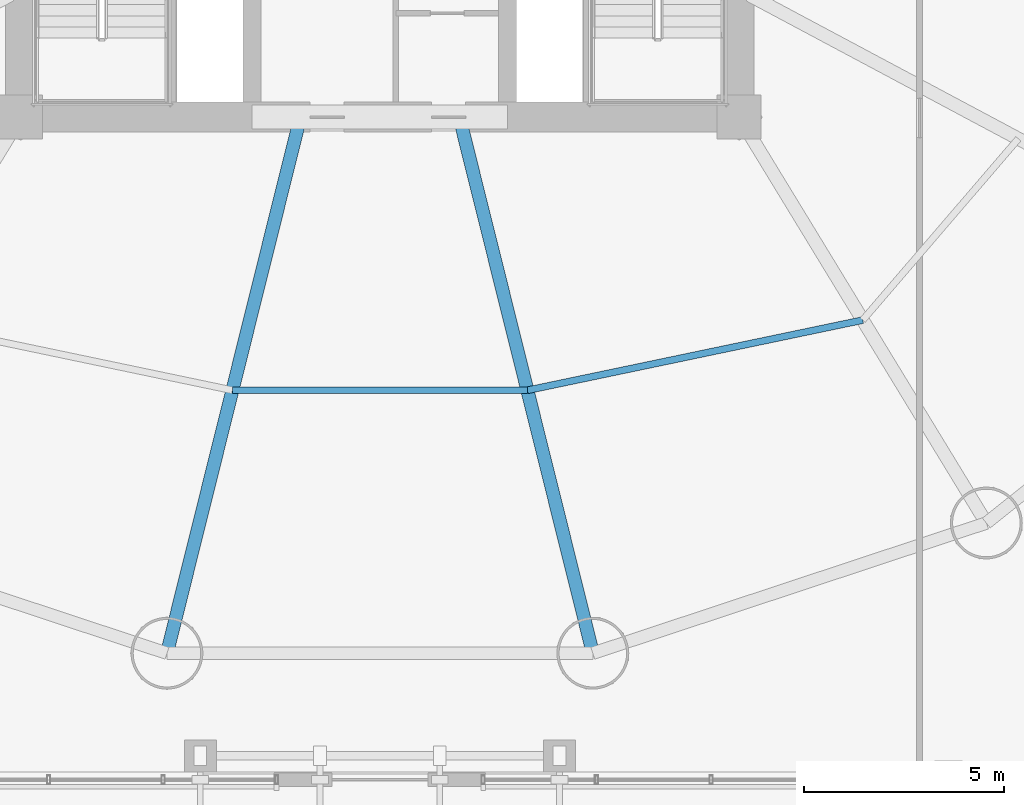
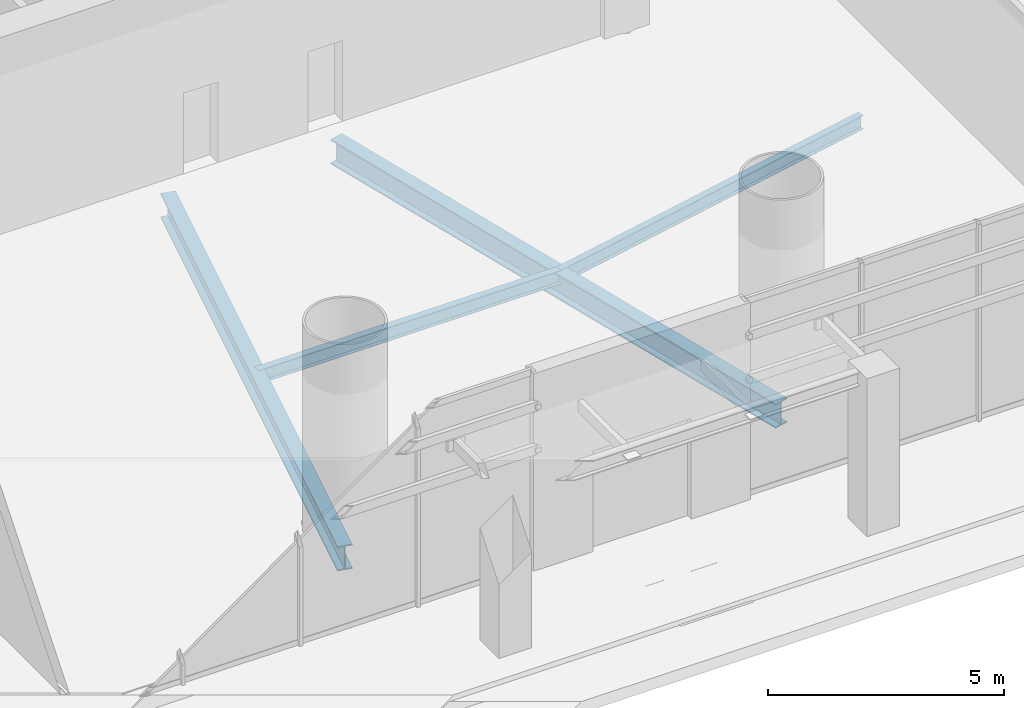
# One storey, part 5 of 25: 4 beams.
"""IFC4 building model written with IfcOpenShell, lengths in metres."""

from ifc_helpers import new_model, si_unit, direction, frame, origin, origin_2d, place, context, subcontext, project, spatial, i_section, extrude, material, material_profile, profile_set, type_object, element, save


model = new_model("IFC4")

# Units and contexts
model_context = context("Model", 3, precision=1e-05, world=origin(), true_north=direction((-0.2419218956, 0.970295726276)))
body_context = subcontext(model_context, "Body", "Model", "MODEL_VIEW")
ifc_project = project(units=[si_unit("LENGTHUNIT", "METRE"), si_unit("AREAUNIT", "SQUARE_METRE"), si_unit("VOLUMEUNIT", "CUBIC_METRE"), si_unit("PLANEANGLEUNIT", "RADIAN"), si_unit("MASSUNIT", "GRAM", prefix="KILO")], contexts=[model_context])

# Site, building, storey
site_placement = place(None, origin())
site = spatial("IfcSite", under=ifc_project, at=site_placement, CompositionType="ELEMENT")
building_placement = place(site_placement, origin())
building = spatial("IfcBuilding", under=site, at=building_placement, Name="Cobrevalo Terracotta Tower", CompositionType="ELEMENT")
storey_placement = place(building_placement, origin())
storey = spatial("IfcBuildingStorey", under=building, at=storey_placement, Name="L00", CompositionType="ELEMENT", Elevation=0.0)

# Beams
ifc_material = material(Name="Steel S355", Category="steel")
ifc_material_profile_1 = material_profile(ifc_material, i_section(OverallWidth=0.3291015625, OverallDepth=0.635009765625, WebThickness=0.017822265625, FlangeThickness=0.031005859375, at=origin_2d()), Name="W 610x241")
ifc_profile_set_1 = profile_set([ifc_material_profile_1], Name="Steel S355")
beam_type_1 = type_object("IfcBeamType", Name="Structural Beam W 610x241 (Steel S355)", PredefinedType="BEAM", material=ifc_profile_set_1)
for number, where, z_axis, x_axis, name in (
    (1, (32.664306640625, 5.369873046875, -0.737548828125), (0.241600470374, 0.970375810042, 0.0), (-0.970375810042, 0.241600470374, 0.0), "L00 radial floor girder 12"),
    (2, (43.335693359375, 5.369873046875, -0.737548828125), (-0.241600470374, 0.970375810042, 0.0), (-0.970375810042, -0.241600470374, 0.0), "L00 radial floor girder 13"),
):
    element("IfcBeam", number, at=place(storey_placement, frame(where, z_axis=z_axis, x_axis=x_axis)), inside=storey, type_object=beam_type_1, Name=name, PredefinedType="BEAM", context=body_context, shape_type="SweptSolid", body=[
        extrude(i_section(OverallWidth=0.3291015625, OverallDepth=0.635009765625, WebThickness=0.017822265625, FlangeThickness=0.031005859375, at=origin_2d()), origin(), (0.0, 0.0, 1.0), 13.5771484375),
    ])
ifc_material_profile_2 = material_profile(ifc_material, i_section(OverallWidth=0.1708984375, OverallDepth=0.35498046875, WebThickness=0.007080078125, FlangeThickness=0.01171875, at=origin_2d()), Name="W 360x51")
ifc_profile_set_2 = profile_set([ifc_material_profile_2], Name="Steel S355")
beam_type_2 = type_object("IfcBeamType", Name="Structural Joist W 360x51 (Steel S355)", PredefinedType="JOIST", material=ifc_profile_set_2)
beam_1_placement = place(storey_placement, frame((34.304443359375, 11.95751953125, -0.597412109375), z_axis=(1.0, 0.0, 0.0), x_axis=(0.0, 1.0, 0.0)))
element("IfcBeam", 3, at=beam_1_placement, inside=storey, type_object=beam_type_2, Name="L00 circumferential secondary floor joist 12", PredefinedType="JOIST", context=body_context, shape_type="SweptSolid", body=[
    extrude(i_section(OverallWidth=0.1708984375, OverallDepth=0.35498046875, WebThickness=0.007080078125, FlangeThickness=0.01171875, at=origin_2d()), origin(), (0.0, 0.0, 1.0), 7.39111328125),
])
beam_2_placement = place(storey_placement, frame((41.695556640625, 11.95751953125, -0.597412109375), z_axis=(0.978784523904, 0.204892302848, 0.0), x_axis=(-0.204892302848, 0.978784523904, 0.0)))
element("IfcBeam", 4, at=beam_2_placement, inside=storey, type_object=beam_type_2, Name="L00 circumferential secondary floor joist 13", PredefinedType="JOIST", context=body_context, shape_type="SweptSolid", body=[
    extrude(i_section(OverallWidth=0.1708984375, OverallDepth=0.35498046875, WebThickness=0.007080078125, FlangeThickness=0.01171875, at=origin_2d()), origin(), (0.0, 0.0, 1.0), 8.583984375),
])

save(model, "model.ifc")
